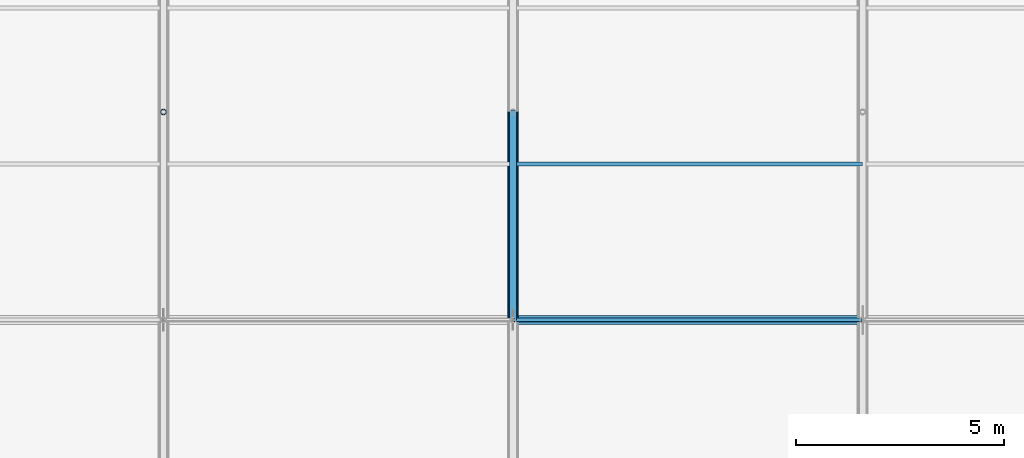
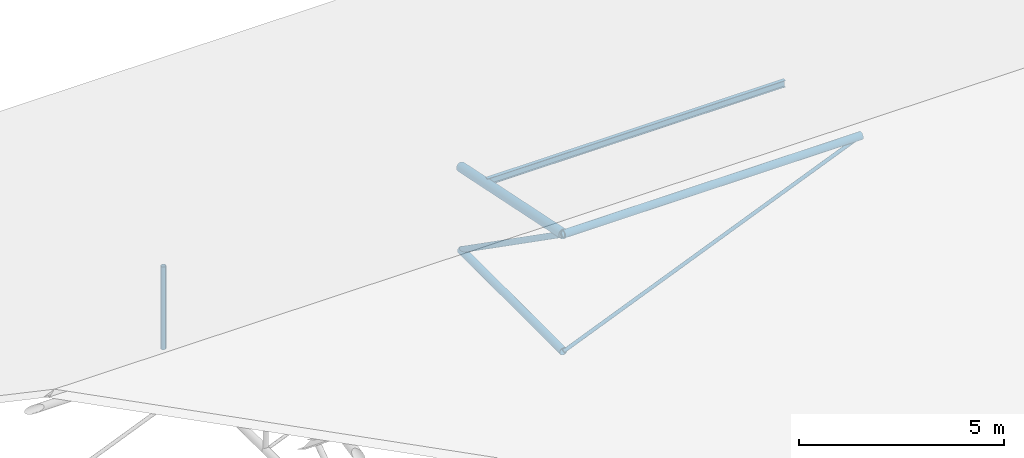
# One storey, part 106 of 194: 6 members, 1 beam.
"""IFC4 building model written with IfcOpenShell, lengths in metres."""

from ifc_helpers import new_model, si_unit, direction, frame, origin, origin_2d, place, context, subcontext, project, spatial, hollow_circle, i_section, extrude, material, material_profile, profile_set, type_object, element, save


model = new_model("IFC4")

# Units and contexts
model_context = context("Model", 3, precision=1e-05, world=origin(), true_north=direction((0.0, 1.0)))
body_context = subcontext(model_context, "Body", "Model", "MODEL_VIEW")
ifc_project = project(units=[si_unit("LENGTHUNIT", "METRE"), si_unit("AREAUNIT", "SQUARE_METRE"), si_unit("VOLUMEUNIT", "CUBIC_METRE"), si_unit("PLANEANGLEUNIT", "RADIAN"), si_unit("MASSUNIT", "GRAM", prefix="KILO")], contexts=[model_context])

# Site, building, storey
site_placement = place(None, origin())
site = spatial("IfcSite", under=ifc_project, at=site_placement, CompositionType="ELEMENT")
building_placement = place(site_placement, origin())
building = spatial("IfcBuilding", under=site, at=building_placement, Name="Kazenagashi Tramway Depot", CompositionType="ELEMENT")
storey_placement = place(building_placement, frame((0.0, 0.0, 23.7)))
storey = spatial("IfcBuildingStorey", under=building, at=storey_placement, Name="ROOF", CompositionType="ELEMENT", Elevation=23.7)

# Beam
ifc_material_1 = material(Name="Steel SN400B", Category="steel")
ifc_material_profile_1 = material_profile(ifc_material_1, i_section(OverallWidth=0.1, OverallDepth=0.2, WebThickness=0.0055, FlangeThickness=0.008, at=origin_2d()), Name="H-200x100x5.5x8")
ifc_profile_set_1 = profile_set([ifc_material_profile_1], Name="Steel SN400B")
beam_type = type_object("IfcBeamType", Name="PR-01", PredefinedType="USERDEFINED", material=ifc_profile_set_1)
beam_placement = place(storey_placement, frame((170.8, 118.75, -11.305), z_axis=(1.0, 0.0, 0.0), x_axis=(0.0, 1.0, 0.0)))
element("IfcBeam", 1, at=beam_placement, inside=storey, type_object=beam_type, Name="Beam PR-01 BM-2195", ObjectType="PURLIN", PredefinedType="USERDEFINED", context=body_context, shape_type="SweptSolid", body=[
    extrude(i_section(OverallWidth=0.1, OverallDepth=0.2, WebThickness=0.0055, FlangeThickness=0.008, at=origin_2d()), origin(), (0.0, 0.0, 1.0), 8.4),
])

# Members
ifc_material_2 = material(Name="Steel STK490", Category="steel")
ifc_material_profile_2 = material_profile(ifc_material_2, hollow_circle(Radius=0.1337, WallThickness=0.0093, at=origin_2d()), Name="CHS-267.4x9.3")
ifc_profile_set_2 = profile_set([ifc_material_profile_2], Name="Steel STK490")
member_type_1 = type_object("IfcMemberType", Name="TC-01", PredefinedType="CHORD", material=ifc_profile_set_2)
member_1_placement = place(storey_placement, frame((170.8, 115.0, -10.6), z_axis=(0.0, 0.979317999984, -0.202327098797), x_axis=(-1.0, 0.0, 0.0)))
element("IfcMember", 2, at=member_1_placement, inside=storey, type_object=member_type_1, Name="Tubular Space Frame TC-01 MEM-0956", PredefinedType="CHORD", context=body_context, shape_type="SweptSolid", body=[
    extrude(hollow_circle(Radius=0.1337, WallThickness=0.0093, at=origin_2d()), origin(), (0.0, 0.0, 1.0), 5.105594),
])
ifc_material_profile_3 = material_profile(ifc_material_2, hollow_circle(Radius=0.10815, WallThickness=0.0082, at=origin_2d()), Name="CHS-216.3x8.2")
ifc_profile_set_3 = profile_set([ifc_material_profile_3], Name="Steel STK490")
member_type_2 = type_object("IfcMemberType", Name="TC-02", PredefinedType="CHORD", material=ifc_profile_set_3)
member_2_placement = place(storey_placement, frame((170.8, 115.0, -14.1), z_axis=(0.0, 1.0, 0.0), x_axis=(-1.0, 0.0, 0.0)))
element("IfcMember", 3, at=member_2_placement, inside=storey, type_object=member_type_2, Name="Tubular Space Frame TC-02 MEM-0957", PredefinedType="CHORD", context=body_context, shape_type="SweptSolid", body=[
    extrude(hollow_circle(Radius=0.10815, WallThickness=0.0082, at=origin_2d()), origin(), (0.0, 0.0, 1.0), 5.0),
])
member_3_placement = place(storey_placement, frame((170.8, 115.0, -10.6), z_axis=(1.0, 0.0, 0.0), x_axis=(0.0, 1.0, 0.0)))
element("IfcMember", 4, at=member_3_placement, inside=storey, type_object=member_type_2, Name="Tubular Space Frame TC-02 MEM-0973", PredefinedType="CHORD", context=body_context, shape_type="SweptSolid", body=[
    extrude(hollow_circle(Radius=0.10815, WallThickness=0.0082, at=origin_2d()), origin(), (0.0, 0.0, 1.0), 8.4),
])
ifc_material_profile_4 = material_profile(ifc_material_2, hollow_circle(Radius=0.0826, WallThickness=0.0071, at=origin_2d()), Name="CHS-165.2x7.1")
ifc_profile_set_4 = profile_set([ifc_material_profile_4], Name="Steel STK490")
member_type_3 = type_object("IfcMemberType", Name="TS-01", PredefinedType="STRUT", material=ifc_profile_set_4)
member_4_placement = place(storey_placement, frame((170.8, 115.0, -10.6), z_axis=(0.0, 0.819231920519, -0.573462344363), x_axis=(-1.0, 0.0, 0.0)))
element("IfcMember", 5, at=member_4_placement, inside=storey, type_object=member_type_3, Name="Tubular Space Frame TS-01 MEM-0958", PredefinedType="STRUT", context=body_context, shape_type="SweptSolid", body=[
    extrude(hollow_circle(Radius=0.0826, WallThickness=0.0071, at=origin_2d()), origin(), (0.0, 0.0, 1.0), 6.103278),
])
ifc_material_profile_5 = material_profile(ifc_material_2, hollow_circle(Radius=0.0699, WallThickness=0.0066, at=origin_2d()), Name="CHS-139.8x6.6")
ifc_profile_set_5 = profile_set([ifc_material_profile_5], Name="Steel STK490")
member_type_4 = type_object("IfcMemberType", Name="TS-02", PredefinedType="STRUT", material=ifc_profile_set_5)
member_5_placement = place(storey_placement, frame((162.4, 120.0, -14.1), z_axis=(0.0, 0.0, 1.0), x_axis=(1.0, 0.0, 0.0)))
element("IfcMember", 6, at=member_5_placement, inside=storey, type_object=member_type_4, Name="Tubular Space Frame TS-02 MEM-0907", PredefinedType="STRUT", context=body_context, shape_type="SweptSolid", body=[
    extrude(hollow_circle(Radius=0.0699, WallThickness=0.0066, at=origin_2d()), origin(), (0.0, 0.0, 1.0), 2.467),
])
ifc_material_3 = material(Name="Steel STK400", Category="steel")
ifc_material_profile_6 = material_profile(ifc_material_3, hollow_circle(Radius=0.0508, WallThickness=0.0042, at=origin_2d()), Name="CHS-101.6x4.2")
ifc_profile_set_6 = profile_set([ifc_material_profile_6], Name="Steel STK400")
member_type_5 = type_object("IfcMemberType", Name="TS-06", PredefinedType="STRUT", material=ifc_profile_set_6)
member_6_placement = place(storey_placement, frame((170.8, 115.0, -14.1), z_axis=(0.923076923077, 0.0, 0.384615384615), x_axis=(0.0, 1.0, 0.0)))
element("IfcMember", 7, at=member_6_placement, inside=storey, type_object=member_type_5, Name="Tubular Space Frame TS-06 MEM-0974", PredefinedType="STRUT", context=body_context, shape_type="SweptSolid", body=[
    extrude(hollow_circle(Radius=0.0508, WallThickness=0.0042, at=origin_2d()), origin(), (0.0, 0.0, 1.0), 9.1),
])

save(model, "model.ifc")
